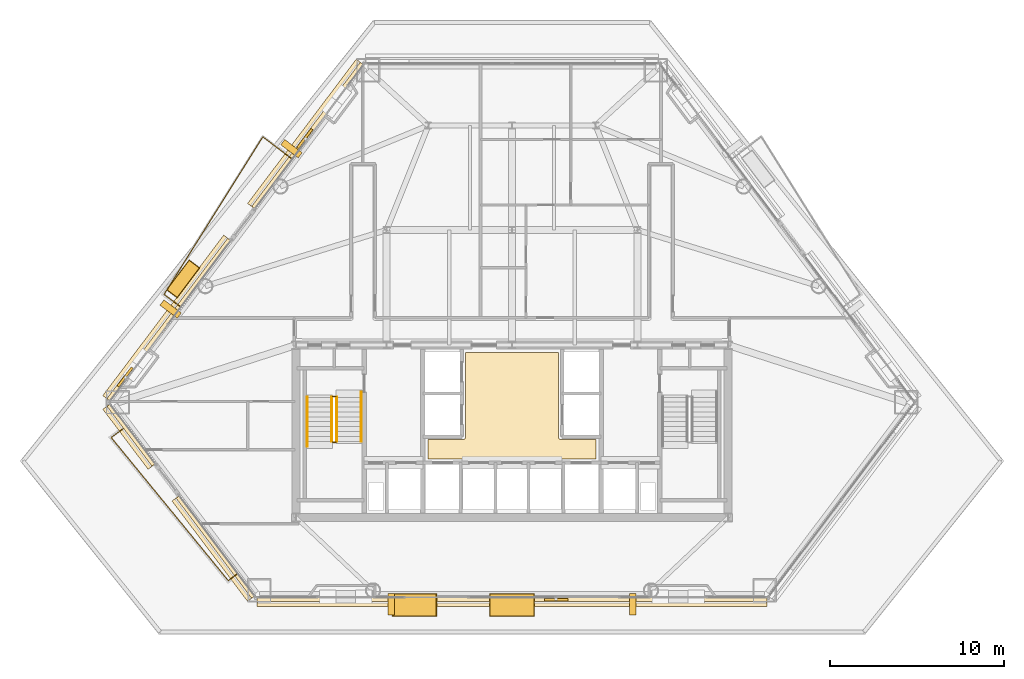
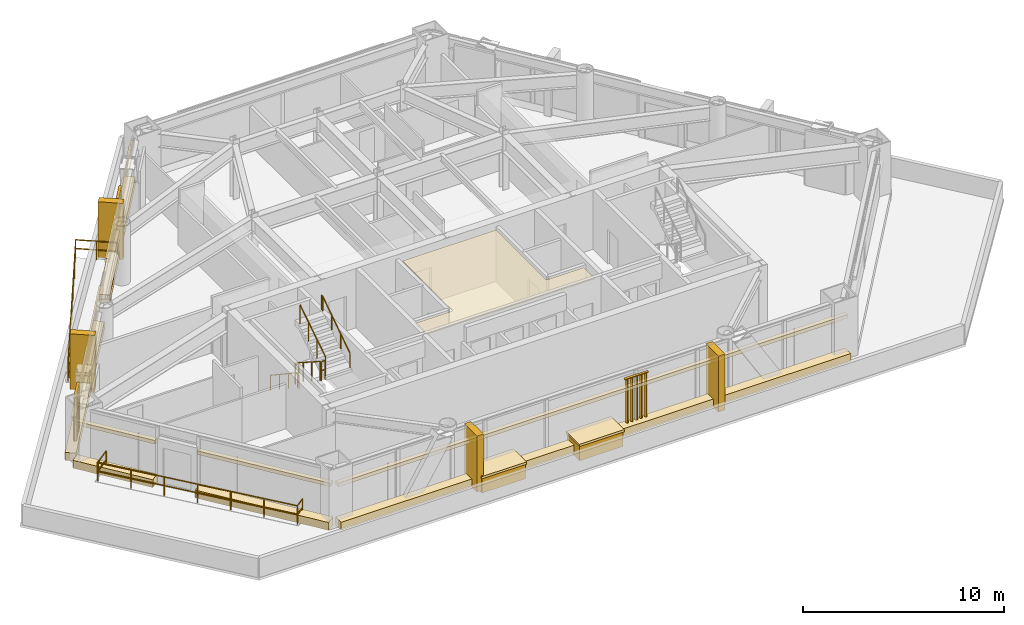
# One storey, part 12 of 13: 21 coverings, 8 railings, 3 shading devices.
"""IFC4 building model written with IfcOpenShell, lengths in metres."""

from ifc_helpers import new_model, si_unit, direction, frame, origin, origin_2d, place, context, subcontext, project, spatial, polyline, rectangle, outline, extrude, source, transform, mapped, material, layer, layer_set, type_object, type_shapes, element, save


model = new_model("IFC4")

# Units and contexts
model_context = context("Model", 3, precision=1e-05, world=origin(), true_north=direction((0.0, 1.0)))
body_context = subcontext(model_context, "Body", "Model", "MODEL_VIEW")
ifc_project = project(units=[si_unit("LENGTHUNIT", "METRE"), si_unit("AREAUNIT", "SQUARE_METRE"), si_unit("VOLUMEUNIT", "CUBIC_METRE"), si_unit("PLANEANGLEUNIT", "RADIAN"), si_unit("MASSUNIT", "GRAM", prefix="KILO")], contexts=[model_context])

# Site, building, storey
site_placement = place(None, origin())
site = spatial("IfcSite", under=ifc_project, at=site_placement, CompositionType="ELEMENT")
building_placement = place(site_placement, origin())
building = spatial("IfcBuilding", under=site, at=building_placement, Name="Talgorran Terracotta Tower", CompositionType="ELEMENT")
storey_placement = place(building_placement, frame((0.0, 0.0, 24.300048828125)))
storey = spatial("IfcBuildingStorey", under=building, at=storey_placement, Name="L05", CompositionType="ELEMENT", Elevation=24.300048828125)

# Coverings
ifc_material_1 = material(Name="Kiln-Fired Terracotta Ochre Ceramic", Category="masonry")
ifc_layer_1 = layer(ifc_material_1, 0.179931640625, Name="COV_BAGUETTE_TERRACOTTA_SCREEN")
ifc_layer_set_1 = layer_set([ifc_layer_1], Name="Kiln-Fired Terracotta Ochre Ceramic")
covering_type_1 = type_object("IfcCoveringType", Name="COV_BAGUETTE_TERRACOTTA_SCREEN", PredefinedType="CLADDING", material=ifc_layer_set_1)
covering_1_placement = place(storey_placement, frame((-21.84814453125, -9.35400390625, 2.41015625), z_axis=(0.0, 0.0, 1.0), x_axis=(0.601801084241, -0.798646013579, 0.0)))
element("IfcCovering", 1, at=covering_1_placement, inside=storey, type_object=covering_type_1, Name="L05 Terracotta Baguette Solar Screen Assembly F10", PredefinedType="CLADDING", context=body_context, shape_type="SweptSolid", body=[
    extrude(rectangle(XDim=4.29638671875, YDim=0.260009765625, at=origin_2d()), origin(), (0.0, 0.0, 1.0), 0.219970703125),
])
covering_2_placement = place(storey_placement, frame((-17.00634765625, -15.779541015625, 2.41015625), z_axis=(0.0, 0.0, 1.0), x_axis=(0.601815023152, -0.798635510047, 0.0)))
element("IfcCovering", 2, at=covering_2_placement, inside=storey, type_object=covering_type_1, Name="L05 Terracotta Baguette Solar Screen Assembly F11", PredefinedType="CLADDING", context=body_context, shape_type="SweptSolid", body=[
    extrude(rectangle(XDim=7.1943359375, YDim=0.260009765625, at=origin_2d()), origin(), (0.0, 0.0, 1.0), 0.219970703125),
])
covering_3_placement = place(storey_placement, frame((0.0, -18.780029296875, 2.41015625), z_axis=(0.0, 0.0, 1.0), x_axis=(1.0, 0.0, 0.0)))
element("IfcCovering", 3, at=covering_3_placement, inside=storey, type_object=covering_type_1, Name="L05 Terracotta Baguette Solar Screen Assembly F1", PredefinedType="CLADDING", context=body_context, shape_type="SweptSolid", body=[
    extrude(rectangle(XDim=29.250732421875, YDim=0.260009765625, at=origin_2d()), origin(), (0.0, 0.0, 1.0), 0.219970703125),
])
covering_4_placement = place(storey_placement, frame((-11.719970703125, 7.813720703125, 2.41015625), z_axis=(0.0, 0.0, 1.0), x_axis=(-0.601801084241, -0.798646013579, 0.0)))
element("IfcCovering", 4, at=covering_4_placement, inside=storey, type_object=covering_type_1, Name="L05 Terracotta Baguette Solar Screen Assembly F60", PredefinedType="CLADDING", context=body_context, shape_type="SweptSolid", body=[
    extrude(rectangle(XDim=10.33984375, YDim=0.260009765625, at=origin_2d()), origin(), (0.0, 0.0, 1.0), 0.219970703125),
])
covering_5_placement = place(storey_placement, frame((-19.67822265625, -2.747314453125, 2.41015625), z_axis=(0.0, 0.0, 1.0), x_axis=(-0.601815023152, -0.798635510047, 0.0)))
element("IfcCovering", 5, at=covering_5_placement, inside=storey, type_object=covering_type_1, Name="L05 Terracotta Baguette Solar Screen Assembly F61", PredefinedType="CLADDING", context=body_context, shape_type="SweptSolid", body=[
    extrude(rectangle(XDim=11.5078125, YDim=0.260009765625, at=origin_2d()), origin(), (0.0, 0.0, 1.0), 0.219970703125),
])
ifc_material_2 = material(Name="Flush Moisture-Resistant Plaster")
ifc_layer_2 = layer(ifc_material_2, 0.01806640625, Name="COV_CEIL_PLASTER")
ifc_layer_set_2 = layer_set([ifc_layer_2], Name="Flush Moisture-Resistant Plaster")
covering_type_2 = type_object("IfcCoveringType", Name="COV_CEIL_PLASTER", PredefinedType="CEILING", material=ifc_layer_set_2)
covering_6_placement = place(storey_placement, frame((0.0, 0.0, 3.260009765625)))
element("IfcCovering", 6, at=covering_6_placement, inside=storey, type_object=covering_type_2, Name="CEIL-L05-1", PredefinedType="CEILING", context=body_context, shape_type="SweptSolid", body=[
    extrude(outline(polyline([(-4.830078125, -9.6201171875), (-2.800048828125, -9.6201171875), (-2.7880859375, -9.619384765625), (-2.776611328125, -9.61767578125), (-2.76513671875, -9.61474609375), (-2.754150390625, -9.61083984375), (-2.743408203125, -9.605712890625), (-2.7333984375, -9.599853515625), (-2.723876953125, -9.5927734375), (-2.715087890625, -9.5849609375), (-2.707275390625, -9.576171875), (-2.7001953125, -9.566650390625), (-2.694091796875, -9.556640625), (-2.689208984375, -9.5458984375), (-2.685302734375, -9.534912109375), (-2.682373046875, -9.5234375), (-2.6806640625, -9.51171875), (-2.679931640625, -9.5), (-2.679931640625, -4.6201171875), (2.679931640625, -4.6201171875), (2.679931640625, -9.5), (2.6806640625, -9.51171875), (2.682373046875, -9.5234375), (2.685302734375, -9.534912109375), (2.689208984375, -9.5458984375), (2.694091796875, -9.556640625), (2.7001953125, -9.566650390625), (2.707275390625, -9.576171875), (2.715087890625, -9.5849609375), (2.723876953125, -9.5927734375), (2.7333984375, -9.599853515625), (2.743408203125, -9.605712890625), (2.754150390625, -9.61083984375), (2.76513671875, -9.61474609375), (2.776611328125, -9.61767578125), (2.7880859375, -9.619384765625), (2.800048828125, -9.6201171875), (4.830078125, -9.6201171875), (4.830078125, -10.72998046875), (-4.830078125, -10.72998046875), (-4.830078125, -9.6201171875)])), origin(), (0.0, 0.0, 1.0), 0.02001953125),
])
ifc_material_3 = material(Name="Honed Limestone and Terracotta Planter", Category="masonry")
ifc_layer_3 = layer(ifc_material_3, 0.1201171875, Name="COV_PLANTER_BOX")
ifc_layer_set_3 = layer_set([ifc_layer_3], Name="Honed Limestone and Terracotta Planter")
covering_type_3 = type_object("IfcCoveringType", Name="COV_PLANTER_BOX", PredefinedType="CLADDING", material=ifc_layer_set_3)
for number, where, z_axis, x_axis, name in (
    (7, (-5.60693359375, -19.1201171875, -0.179931640625), (0.0, 0.0, 1.0), (1.0, 0.0, 0.0), "L05 Staggered South Facade Planter Box 1"),
    (8, (0.0, -19.1201171875, -0.179931640625), (0.0, 0.0, 1.0), (1.0, 0.0, 0.0), "L05 Staggered South Facade Planter Box 2"),
):
    element("IfcCovering", number, at=place(storey_placement, frame(where, z_axis=z_axis, x_axis=x_axis)), inside=storey, type_object=covering_type_3, Name=name, PredefinedType="CLADDING", context=body_context, shape_type="SweptSolid", body=[
        extrude(rectangle(XDim=2.5, YDim=1.25, at=origin_2d()), origin(), (0.0, 0.0, 1.0), 0.919921875),
    ])
covering_7_placement = place(storey_placement, frame((-18.87255859375, -0.3984375, -0.02001953125), z_axis=(0.0, 0.0, 1.0), x_axis=(-0.601815023152, -0.798635510047, 0.0)))
element("IfcCovering", 9, at=covering_7_placement, inside=storey, type_object=covering_type_3, Name="L05 Staggered Balcony Planter Box BAL-NW", PredefinedType="CLADDING", context=body_context, shape_type="SweptSolid", body=[
    extrude(rectangle(XDim=2.10009765625, YDim=0.719970703125, at=origin_2d()), origin(), (0.0, 0.0, 1.0), 0.860107421875),
])
ifc_material_4 = material(Name="Kiln-Fired Terracotta Planter Rim", Category="masonry")
ifc_layer_4 = layer(ifc_material_4, 0.10009765625, Name="COV_PLANTER_RIM")
ifc_layer_set_4 = layer_set([ifc_layer_4], Name="Kiln-Fired Terracotta Planter Rim")
covering_type_4 = type_object("IfcCoveringType", Name="COV_PLANTER_RIM", PredefinedType="CLADDING", material=ifc_layer_set_4)
for number, where, z_axis, x_axis, name in (
    (10, (-5.60693359375, -19.1201171875, 0.7099609375), (0.0, 0.0, 1.0), (1.0, 0.0, 0.0), "L05 South Planter Terracotta Rim 1"),
    (11, (0.0, -19.1201171875, 0.7099609375), (0.0, 0.0, 1.0), (1.0, 0.0, 0.0), "L05 South Planter Terracotta Rim 2"),
):
    element("IfcCovering", number, at=place(storey_placement, frame(where, z_axis=z_axis, x_axis=x_axis)), inside=storey, type_object=covering_type_4, Name=name, PredefinedType="CLADDING", context=body_context, shape_type="SweptSolid", body=[
        extrude(rectangle(XDim=2.580078125, YDim=1.320068359375, at=origin_2d()), origin(), (0.0, 0.0, 1.0), 0.139892578125),
    ])
covering_8_placement = place(storey_placement, frame((-18.87255859375, -0.3984375, 0.7998046875), z_axis=(0.0, 0.0, 1.0), x_axis=(-0.601815023152, -0.798635510047, 0.0)))
element("IfcCovering", 12, at=covering_8_placement, inside=storey, type_object=covering_type_4, Name="L05 Balcony Planter Terracotta Rim BAL-NW", PredefinedType="CLADDING", context=body_context, shape_type="SweptSolid", body=[
    extrude(rectangle(XDim=2.179931640625, YDim=0.780029296875, at=origin_2d()), origin(), (0.0, 0.0, 1.0), 0.1201171875),
])
ifc_material_5 = material(Name="Honed Limestone Cladding", Category="masonry")
ifc_layer_5 = layer(ifc_material_5, 0.094970703125, Name="COV_PORTAL_LIME")
ifc_layer_set_5 = layer_set([ifc_layer_5], Name="Honed Limestone Cladding")
covering_type_5 = type_object("IfcCoveringType", Name="COV_PORTAL_LIME", PredefinedType="CLADDING", material=ifc_layer_set_5)
for number, where, z_axis, x_axis, name in (
    (13, (-6.934814453125, -19.080078125, -0.050048828125), (0.0, 0.0, 1.0), (1.0, 0.0, 0.0), "L05 White Striped Portal Fin F1-1"),
    (14, (-12.656005859375, 7.070068359375, -0.050048828125), (0.0, 0.0, 1.0), (-0.601815023152, -0.798635510047, 0.0), "L05 White Striped Portal Fin F5-1"),
):
    element("IfcCovering", number, at=place(storey_placement, frame(where, z_axis=z_axis, x_axis=x_axis)), inside=storey, type_object=covering_type_5, Name=name, PredefinedType="CLADDING", context=body_context, shape_type="SweptSolid", body=[
        extrude(rectangle(XDim=0.3798828125, YDim=1.25, at=origin_2d()), origin(), (0.0, 0.0, 1.0), 3.39990234375),
    ])
ifc_material_6 = material(Name="Kiln-Fired Terracotta Cladding", Category="masonry")
ifc_layer_6 = layer(ifc_material_6, 0.090087890625, Name="COV_PORTAL_TERRA")
ifc_layer_set_6 = layer_set([ifc_layer_6], Name="Kiln-Fired Terracotta Cladding")
covering_type_6 = type_object("IfcCoveringType", Name="COV_PORTAL_TERRA", PredefinedType="CLADDING", material=ifc_layer_set_6)
covering_9_placement = place(storey_placement, frame((-21.9599609375, -9.438232421875, -0.0400390625), z_axis=(0.0, 0.0, 1.0), x_axis=(0.601801084241, -0.798646013579, 0.0)))
element("IfcCovering", 15, at=covering_9_placement, inside=storey, type_object=covering_type_6, Name="L05 Striped Postmodern Portal Cladding Band F10", PredefinedType="CLADDING", context=body_context, shape_type="SweptSolid", body=[
    extrude(rectangle(XDim=4.31640625, YDim=0.56005859375, at=origin_2d()), origin(), (0.0, 0.0, 1.0), 0.47998046875),
])
covering_10_placement = place(storey_placement, frame((-17.1181640625, -15.86376953125, -0.0400390625), z_axis=(0.0, 0.0, 1.0), x_axis=(0.601815023152, -0.798635510047, 0.0)))
element("IfcCovering", 16, at=covering_10_placement, inside=storey, type_object=covering_type_6, Name="L05 Striped Postmodern Portal Cladding Band F11", PredefinedType="CLADDING", context=body_context, shape_type="SweptSolid", body=[
    extrude(rectangle(XDim=7.21435546875, YDim=0.56005859375, at=origin_2d()), origin(), (0.0, 0.0, 1.0), 0.47998046875),
])
covering_11_placement = place(storey_placement, frame((0.0, -18.919921875, -0.0400390625), z_axis=(0.0, 0.0, 1.0), x_axis=(1.0, 0.0, 0.0)))
element("IfcCovering", 17, at=covering_11_placement, inside=storey, type_object=covering_type_6, Name="L05 Striped Postmodern Portal Cladding Band F1", PredefinedType="CLADDING", context=body_context, shape_type="SweptSolid", body=[
    extrude(rectangle(XDim=29.270751953125, YDim=0.56005859375, at=origin_2d()), origin(), (0.0, 0.0, 1.0), 0.47998046875),
])
covering_12_placement = place(storey_placement, frame((-11.831787109375, 7.898193359375, -0.0400390625), z_axis=(0.0, 0.0, 1.0), x_axis=(-0.601801084241, -0.798646013579, 0.0)))
element("IfcCovering", 18, at=covering_12_placement, inside=storey, type_object=covering_type_6, Name="L05 Striped Postmodern Portal Cladding Band F60", PredefinedType="CLADDING", context=body_context, shape_type="SweptSolid", body=[
    extrude(rectangle(XDim=10.35986328125, YDim=0.56005859375, at=origin_2d()), origin(), (0.0, 0.0, 1.0), 0.47998046875),
])
covering_13_placement = place(storey_placement, frame((-19.7900390625, -2.662841796875, -0.0400390625), z_axis=(0.0, 0.0, 1.0), x_axis=(-0.601815023152, -0.798635510047, 0.0)))
element("IfcCovering", 19, at=covering_13_placement, inside=storey, type_object=covering_type_6, Name="L05 Striped Postmodern Portal Cladding Band F61", PredefinedType="CLADDING", context=body_context, shape_type="SweptSolid", body=[
    extrude(rectangle(XDim=11.527587890625, YDim=0.56005859375, at=origin_2d()), origin(), (0.0, 0.0, 1.0), 0.47998046875),
])
for number, where, z_axis, x_axis, name in (
    (20, (6.934814453125, -19.080078125, -0.050048828125), (0.0, 0.0, 1.0), (1.0, 0.0, 0.0), "L05 Terracotta Striped Portal Fin F1-2"),
    (21, (-19.591064453125, -2.133056640625, -0.050048828125), (0.0, 0.0, 1.0), (-0.601815023152, -0.798635510047, 0.0), "L05 Terracotta Striped Portal Fin F5-2"),
):
    element("IfcCovering", number, at=place(storey_placement, frame(where, z_axis=z_axis, x_axis=x_axis)), inside=storey, type_object=covering_type_6, Name=name, PredefinedType="CLADDING", context=body_context, shape_type="SweptSolid", body=[
        extrude(rectangle(XDim=0.3798828125, YDim=1.25, at=origin_2d()), origin(), (0.0, 0.0, 1.0), 3.39990234375),
    ])

# Railings
ifc_material_7 = material(Name="Laminated Glass and Stainless Steel 316", Category="steel")
railing_type_1 = type_object("IfcRailingType", Name="RL_BALCONY_1150", PredefinedType="BALUSTRADE", material=ifc_material_7)
railing_1_placement = place(storey_placement, frame((-12.6220703125, 6.483642578125, 0.0)))
element("IfcRailing", 22, at=railing_1_placement, inside=storey, type_object=railing_type_1, Name="RL-L05-BAL-BAL-NW", PredefinedType="BALUSTRADE", context=body_context, shape_type="SweptSolid", body=[
    extrude(rectangle(XDim=0.048095703125, YDim=0.048095703125, at=origin_2d()), frame((0.0, 0.0, 1.1259765625), z_axis=(-0.798674476076, 0.601763310002, 0.0), x_axis=(-0.601763310002, -0.798674476076, 0.0)), (0.0, 0.0, 1.0), 2.102783203125),
    extrude(rectangle(XDim=0.048095703125, YDim=0.048095703125, at=origin_2d()), frame((0.0, 0.0, 0.597900390625), z_axis=(-0.798674476076, 0.601763310002, 0.0), x_axis=(-0.601763310002, -0.798674476076, 0.0)), (0.0, 0.0, 1.0), 2.102783203125),
    extrude(rectangle(XDim=0.048095703125, YDim=0.048095703125, at=origin_2d()), frame((-1.679443359375, 1.265380859375, 1.1259765625), z_axis=(-0.531055976515, -0.847336739324, 0.0), x_axis=(0.847336739324, -0.531055976515, 0.0)), (0.0, 0.0, 1.0), 10.6669921875),
    extrude(rectangle(XDim=0.048095703125, YDim=0.048095703125, at=origin_2d()), frame((-1.679443359375, 1.265380859375, 0.597900390625), z_axis=(-0.531055976515, -0.847336739324, 0.0), x_axis=(0.847336739324, -0.531055976515, 0.0)), (0.0, 0.0, 1.0), 10.6669921875),
    extrude(rectangle(XDim=0.048095703125, YDim=0.048095703125, at=origin_2d()), frame((-7.34423828125, -7.773193359375, 1.1259765625), z_axis=(0.798616132911, -0.601840736619, 0.0), x_axis=(0.601840736619, 0.798616132911, 0.0)), (0.0, 0.0, 1.0), 1.187255859375),
    extrude(rectangle(XDim=0.048095703125, YDim=0.048095703125, at=origin_2d()), frame((-7.34423828125, -7.773193359375, 0.597900390625), z_axis=(0.798616132911, -0.601840736619, 0.0), x_axis=(0.601840736619, 0.798616132911, 0.0)), (0.0, 0.0, 1.0), 1.187255859375),
    extrude(rectangle(XDim=0.0419921875, YDim=0.0419921875, at=origin_2d()), origin(), (0.0, 0.0, 1.0), 1.101806640625),
    extrude(rectangle(XDim=0.0419921875, YDim=0.0419921875, at=origin_2d()), frame((-0.83984375, 0.6328125, 0.0)), (0.0, 0.0, 1.0), 1.101806640625),
    extrude(rectangle(XDim=0.0419921875, YDim=0.0419921875, at=origin_2d()), frame((-1.679443359375, 1.265380859375, 0.0)), (0.0, 0.0, 1.0), 1.101806640625),
    extrude(rectangle(XDim=0.0419921875, YDim=0.0419921875, at=origin_2d()), frame((-2.62353515625, -0.240966796875, 0.0)), (0.0, 0.0, 1.0), 1.101806640625),
    extrude(rectangle(XDim=0.0419921875, YDim=0.0419921875, at=origin_2d()), frame((-3.567626953125, -1.74755859375, 0.0)), (0.0, 0.0, 1.0), 1.101806640625),
    extrude(rectangle(XDim=0.0419921875, YDim=0.0419921875, at=origin_2d()), frame((-4.51171875, -3.25390625, 0.0)), (0.0, 0.0, 1.0), 1.101806640625),
    extrude(rectangle(XDim=0.0419921875, YDim=0.0419921875, at=origin_2d()), frame((-5.4560546875, -4.76025390625, 0.0)), (0.0, 0.0, 1.0), 1.101806640625),
    extrude(rectangle(XDim=0.0419921875, YDim=0.0419921875, at=origin_2d()), frame((-6.400146484375, -6.266845703125, 0.0)), (0.0, 0.0, 1.0), 1.101806640625),
    extrude(rectangle(XDim=0.0419921875, YDim=0.0419921875, at=origin_2d()), frame((-7.34423828125, -7.773193359375, 0.0)), (0.0, 0.0, 1.0), 1.101806640625),
    extrude(rectangle(XDim=0.0419921875, YDim=0.0419921875, at=origin_2d()), frame((-6.39599609375, -8.48779296875, 0.0)), (0.0, 0.0, 1.0), 1.101806640625),
])
railing_2_placement = place(storey_placement, frame((-22.126953125, -8.851318359375, 0.0)))
element("IfcRailing", 23, at=railing_2_placement, inside=storey, type_object=railing_type_1, Name="RL-L05-BAL-BAL-SW", PredefinedType="BALUSTRADE", context=body_context, shape_type="SweptSolid", body=[
    extrude(rectangle(XDim=0.048095703125, YDim=0.048095703125, at=origin_2d()), frame((0.0, 0.0, 1.1259765625), z_axis=(-0.798711645571, -0.6017139746, 0.0), x_axis=(0.6017139746, -0.798711645571, 0.0)), (0.0, 0.0, 1.0), 1.093017578125),
    extrude(rectangle(XDim=0.048095703125, YDim=0.048095703125, at=origin_2d()), frame((0.0, 0.0, 0.597900390625), z_axis=(-0.798711645571, -0.6017139746, 0.0), x_axis=(0.6017139746, -0.798711645571, 0.0)), (0.0, 0.0, 1.0), 1.093017578125),
    extrude(rectangle(XDim=0.048095703125, YDim=0.048095703125, at=origin_2d()), frame((-0.873046875, -0.65771484375, 1.1259765625), z_axis=(0.633137551536, -0.774039301867, 0.0), x_axis=(0.774039301867, 0.633137551536, 0.0)), (0.0, 0.0, 1.0), 10.611083984375),
    extrude(rectangle(XDim=0.048095703125, YDim=0.048095703125, at=origin_2d()), frame((-0.873046875, -0.65771484375, 0.597900390625), z_axis=(0.633137551536, -0.774039301867, 0.0), x_axis=(0.774039301867, 0.633137551536, 0.0)), (0.0, 0.0, 1.0), 10.611083984375),
    extrude(rectangle(XDim=0.048095703125, YDim=0.048095703125, at=origin_2d()), frame((5.84521484375, -8.87109375, 1.1259765625), z_axis=(0.798687574271, 0.601745925374, 0.0), x_axis=(-0.601745925374, 0.798687574271, 0.0)), (0.0, 0.0, 1.0), 0.670654296875),
    extrude(rectangle(XDim=0.048095703125, YDim=0.048095703125, at=origin_2d()), frame((5.84521484375, -8.87109375, 0.597900390625), z_axis=(0.798687574271, 0.601745925374, 0.0), x_axis=(-0.601745925374, 0.798687574271, 0.0)), (0.0, 0.0, 1.0), 0.670654296875),
    extrude(rectangle(XDim=0.0419921875, YDim=0.0419921875, at=origin_2d()), origin(), (0.0, 0.0, 1.0), 1.101806640625),
    extrude(rectangle(XDim=0.0419921875, YDim=0.0419921875, at=origin_2d()), frame((-0.873046875, -0.65771484375, 0.0)), (0.0, 0.0, 1.0), 1.101806640625),
    extrude(rectangle(XDim=0.0419921875, YDim=0.0419921875, at=origin_2d()), frame((0.24658203125, -2.026611328125, 0.0)), (0.0, 0.0, 1.0), 1.101806640625),
    extrude(rectangle(XDim=0.0419921875, YDim=0.0419921875, at=origin_2d()), frame((1.366455078125, -3.3955078125, 0.0)), (0.0, 0.0, 1.0), 1.101806640625),
    extrude(rectangle(XDim=0.0419921875, YDim=0.0419921875, at=origin_2d()), frame((2.486083984375, -4.764404296875, 0.0)), (0.0, 0.0, 1.0), 1.101806640625),
    extrude(rectangle(XDim=0.0419921875, YDim=0.0419921875, at=origin_2d()), frame((3.605712890625, -6.13330078125, 0.0)), (0.0, 0.0, 1.0), 1.101806640625),
    extrude(rectangle(XDim=0.0419921875, YDim=0.0419921875, at=origin_2d()), frame((4.7255859375, -7.502197265625, 0.0)), (0.0, 0.0, 1.0), 1.101806640625),
    extrude(rectangle(XDim=0.0419921875, YDim=0.0419921875, at=origin_2d()), frame((5.84521484375, -8.87109375, 0.0)), (0.0, 0.0, 1.0), 1.101806640625),
    extrude(rectangle(XDim=0.0419921875, YDim=0.0419921875, at=origin_2d()), frame((6.380859375, -8.467529296875, 0.0)), (0.0, 0.0, 1.0), 1.101806640625),
])
ifc_material_8 = material(Name="Steel S355 (300PLUS)", Category="steel")
railing_type_2 = type_object("IfcRailingType", Name="RL_HANDRAIL_920", PredefinedType="HANDRAIL", material=ifc_material_8)
railing_3_placement = place(storey_placement, frame((-11.75, -7.199951171875, 0.179931640625)))
element("IfcRailing", 24, at=railing_3_placement, inside=storey, type_object=railing_type_2, Name="L05 ST-01 stair handrail 1", PredefinedType="HANDRAIL", context=body_context, shape_type="SweptSolid", body=[
    extrude(rectangle(XDim=0.048095703125, YDim=0.048095703125, at=origin_2d()), frame((0.0, 0.0, 0.89599609375), z_axis=(0.0, -0.832038719335, 0.554717558338), x_axis=(1.0, 0.0, 0.0)), (0.0, 0.0, 1.0), 3.244873046875),
    extrude(rectangle(XDim=0.048095703125, YDim=0.048095703125, at=origin_2d()), frame((0.0, -2.699951171875, 2.69580078125), z_axis=(0.0, -1.0, 0.0), x_axis=(1.0, 0.0, 0.0)), (0.0, 0.0, 1.0), 0.1201171875),
    extrude(rectangle(XDim=0.0419921875, YDim=0.0419921875, at=origin_2d()), origin(), (0.0, 0.0, 1.0), 0.871826171875),
    extrude(rectangle(XDim=0.0419921875, YDim=0.0419921875, at=origin_2d()), frame((0.0, -0.89990234375, 0.60009765625)), (0.0, 0.0, 1.0), 0.871826171875),
    extrude(rectangle(XDim=0.0419921875, YDim=0.0419921875, at=origin_2d()), frame((0.0, -1.800048828125, 1.199951171875)), (0.0, 0.0, 1.0), 0.871826171875),
    extrude(rectangle(XDim=0.0419921875, YDim=0.0419921875, at=origin_2d()), frame((0.0, -2.699951171875, 1.800048828125)), (0.0, 0.0, 1.0), 0.871826171875),
    extrude(rectangle(XDim=0.0419921875, YDim=0.0419921875, at=origin_2d()), frame((0.0, -2.820068359375, 1.800048828125)), (0.0, 0.0, 1.0), 0.871826171875),
])
railing_4_placement = place(storey_placement, frame((-8.64990234375, -9.719970703125, 1.97998046875)))
element("IfcRailing", 25, at=railing_4_placement, inside=storey, type_object=railing_type_2, Name="L05 ST-01 stair handrail 2", PredefinedType="HANDRAIL", context=body_context, shape_type="SweptSolid", body=[
    extrude(rectangle(XDim=0.048095703125, YDim=0.048095703125, at=origin_2d()), frame((0.0, 0.0, 0.89599609375), z_axis=(0.0, 0.832038719335, 0.554717558338), x_axis=(-1.0, 0.0, 0.0)), (0.0, 0.0, 1.0), 3.244873046875),
    extrude(rectangle(XDim=0.048095703125, YDim=0.048095703125, at=origin_2d()), frame((0.0, 2.699951171875, 2.69580078125), z_axis=(0.0, 1.0, 0.0), x_axis=(-1.0, 0.0, 0.0)), (0.0, 0.0, 1.0), 0.1201171875),
    extrude(rectangle(XDim=0.0419921875, YDim=0.0419921875, at=origin_2d()), origin(), (0.0, 0.0, 1.0), 0.871826171875),
    extrude(rectangle(XDim=0.0419921875, YDim=0.0419921875, at=origin_2d()), frame((0.0, 0.89990234375, 0.60009765625)), (0.0, 0.0, 1.0), 0.871826171875),
    extrude(rectangle(XDim=0.0419921875, YDim=0.0419921875, at=origin_2d()), frame((0.0, 1.800048828125, 1.199951171875)), (0.0, 0.0, 1.0), 0.871826171875),
    extrude(rectangle(XDim=0.0419921875, YDim=0.0419921875, at=origin_2d()), frame((0.0, 2.699951171875, 1.800048828125)), (0.0, 0.0, 1.0), 0.871826171875),
    extrude(rectangle(XDim=0.0419921875, YDim=0.0419921875, at=origin_2d()), frame((0.0, 2.820068359375, 1.800048828125)), (0.0, 0.0, 1.0), 0.871826171875),
])
railing_type_3 = type_object("IfcRailingType", Name="RL_STAIR_GUARD", PredefinedType="GUARDRAIL", material=ifc_material_8)
railing_5_placement = place(storey_placement, frame((-10.35009765625, -7.199951171875, 0.179931640625)))
element("IfcRailing", 26, at=railing_5_placement, inside=storey, type_object=railing_type_3, Name="L05 ST-01 stair guard 1", PredefinedType="GUARDRAIL", context=body_context, shape_type="SweptSolid", body=[
    extrude(rectangle(XDim=0.048095703125, YDim=0.048095703125, at=origin_2d()), frame((0.0, 0.0, 1.15576171875), z_axis=(0.0, -0.841162588446, 0.540782303519), x_axis=(1.0, 0.0, 0.0)), (0.0, 0.0, 1.0), 2.995849609375),
    extrude(rectangle(XDim=0.0419921875, YDim=0.0419921875, at=origin_2d()), origin(), (0.0, 0.0, 1.0), 1.1318359375),
    extrude(rectangle(XDim=0.0419921875, YDim=0.0419921875, at=origin_2d()), frame((0.0, -0.840087890625, 0.5400390625)), (0.0, 0.0, 1.0), 1.1318359375),
    extrude(rectangle(XDim=0.0419921875, YDim=0.0419921875, at=origin_2d()), frame((0.0, -1.679931640625, 1.080078125)), (0.0, 0.0, 1.0), 1.1318359375),
    extrude(rectangle(XDim=0.0419921875, YDim=0.0419921875, at=origin_2d()), frame((0.0, -2.52001953125, 1.6201171875)), (0.0, 0.0, 1.0), 1.1318359375),
])
railing_6_placement = place(storey_placement, frame((-10.300048828125, -9.77001953125, 1.800048828125)))
element("IfcRailing", 27, at=railing_6_placement, inside=storey, type_object=railing_type_3, Name="L05 ST-01 stair guard 2", PredefinedType="GUARDRAIL", context=body_context, shape_type="SweptSolid", body=[
    extrude(rectangle(XDim=0.048095703125, YDim=0.048095703125, at=origin_2d()), frame((0.0, 0.0, 1.15576171875), z_axis=(1.0, 0.0, 0.0), x_axis=(0.0, 1.0, 0.0)), (0.0, 0.0, 1.0), 0.199951171875),
    extrude(rectangle(XDim=0.048095703125, YDim=0.048095703125, at=origin_2d()), frame((0.0, 0.0, 0.613525390625), z_axis=(1.0, 0.0, 0.0), x_axis=(0.0, 1.0, 0.0)), (0.0, 0.0, 1.0), 0.199951171875),
    extrude(rectangle(XDim=0.0419921875, YDim=0.0419921875, at=origin_2d()), origin(), (0.0, 0.0, 1.0), 1.1318359375),
    extrude(rectangle(XDim=0.0419921875, YDim=0.0419921875, at=origin_2d()), frame((0.199951171875, 0.0, 0.0)), (0.0, 0.0, 1.0), 1.1318359375),
])
railing_7_placement = place(storey_placement, frame((-10.050048828125, -9.719970703125, 1.97998046875)))
element("IfcRailing", 28, at=railing_7_placement, inside=storey, type_object=railing_type_3, Name="L05 ST-01 stair guard 3", PredefinedType="GUARDRAIL", context=body_context, shape_type="SweptSolid", body=[
    extrude(rectangle(XDim=0.048095703125, YDim=0.048095703125, at=origin_2d()), frame((0.0, 0.0, 1.15576171875), z_axis=(0.0, 0.841199657755, 0.540724639528), x_axis=(-1.0, 0.0, 0.0)), (0.0, 0.0, 1.0), 2.995849609375),
    extrude(rectangle(XDim=0.0419921875, YDim=0.0419921875, at=origin_2d()), origin(), (0.0, 0.0, 1.0), 1.1318359375),
    extrude(rectangle(XDim=0.0419921875, YDim=0.0419921875, at=origin_2d()), frame((0.0, 0.840087890625, 0.5400390625)), (0.0, 0.0, 1.0), 1.1318359375),
    extrude(rectangle(XDim=0.0419921875, YDim=0.0419921875, at=origin_2d()), frame((0.0, 1.679931640625, 1.079833984375)), (0.0, 0.0, 1.0), 1.1318359375),
    extrude(rectangle(XDim=0.0419921875, YDim=0.0419921875, at=origin_2d()), frame((0.0, 2.52001953125, 1.619873046875)), (0.0, 0.0, 1.0), 1.1318359375),
])
railing_8_placement = place(storey_placement, frame((-10.300048828125, -7.14990234375, 0.0)))
element("IfcRailing", 29, at=railing_8_placement, inside=storey, type_object=railing_type_3, Name="L05 ST-01 stair guard 4", PredefinedType="GUARDRAIL", context=body_context, shape_type="SweptSolid", body=[
    extrude(rectangle(XDim=0.048095703125, YDim=0.048095703125, at=origin_2d()), frame((0.0, 0.0, 1.15576171875), z_axis=(1.0, 0.0, 0.0), x_axis=(0.0, 1.0, 0.0)), (0.0, 0.0, 1.0), 0.199951171875),
    extrude(rectangle(XDim=0.048095703125, YDim=0.048095703125, at=origin_2d()), frame((0.0, 0.0, 0.613525390625), z_axis=(1.0, 0.0, 0.0), x_axis=(0.0, 1.0, 0.0)), (0.0, 0.0, 1.0), 0.199951171875),
    extrude(rectangle(XDim=0.0419921875, YDim=0.0419921875, at=origin_2d()), origin(), (0.0, 0.0, 1.0), 1.1318359375),
    extrude(rectangle(XDim=0.0419921875, YDim=0.0419921875, at=origin_2d()), frame((0.199951171875, 0.0, 0.0)), (0.0, 0.0, 1.0), 1.1318359375),
])

# Shading devices
ifc_material_9 = material(Name="Kiln-Fired Terracotta", Category="masonry")
ifc_layer_7 = layer(ifc_material_9, 0.139892578125, Name="SHD_BAGUETTE_TERRA")
ifc_layer_set_7 = layer_set([ifc_layer_7], Name="Kiln-Fired Terracotta")
shading_device_type = type_object("IfcShadingDeviceType", Name="SHD_BAGUETTE_TERRA", PredefinedType="JALOUSIE", material=ifc_layer_set_7)
shared_shape = source(origin(), body_context, "Body", "SweptSolid", [
    extrude(rectangle(XDim=1.35009765625, YDim=0.139892578125, at=origin_2d()), origin(), (0.0, 0.0, 1.0), 0.054931640625),
    extrude(rectangle(XDim=1.35009765625, YDim=0.139892578125, at=origin_2d()), frame((0.0, 0.0, 2.7451171875)), (0.0, 0.0, 1.0), 0.054931640625),
    extrude(rectangle(XDim=0.074951171875, YDim=0.139892578125, at=origin_2d()), frame((-0.53515625, 0.0, 0.054931640625), z_axis=(0.0, 0.0, 1.0), x_axis=(0.866025403784, 0.5, 0.0)), (0.0, 0.0, 1.0), 2.690185546875),
    extrude(rectangle(XDim=0.074951171875, YDim=0.139892578125, at=origin_2d()), frame((-0.267578125, 0.0, 0.054931640625), z_axis=(0.0, 0.0, 1.0), x_axis=(0.866025403784, 0.5, 0.0)), (0.0, 0.0, 1.0), 2.690185546875),
    extrude(rectangle(XDim=0.074951171875, YDim=0.139892578125, at=origin_2d()), frame((0.0, 0.0, 0.054931640625), z_axis=(0.0, 0.0, 1.0), x_axis=(0.866025403784, 0.5, 0.0)), (0.0, 0.0, 1.0), 2.690185546875),
    extrude(rectangle(XDim=0.074951171875, YDim=0.139892578125, at=origin_2d()), frame((0.267578125, 0.0, 0.054931640625), z_axis=(0.0, 0.0, 1.0), x_axis=(0.866025403784, 0.5, 0.0)), (0.0, 0.0, 1.0), 2.690185546875),
    extrude(rectangle(XDim=0.074951171875, YDim=0.139892578125, at=origin_2d()), frame((0.53515625, 0.0, 0.054931640625), z_axis=(0.0, 0.0, 1.0), x_axis=(0.866025403784, 0.5, 0.0)), (0.0, 0.0, 1.0), 2.690185546875),
])
type_shapes(shading_device_type, [shared_shape])
for number, where, z_axis, x_axis, name in (
    (30, (2.531494140625, -18.820068359375, 0.35009765625), (0.0, 0.0, 1.0), (1.0, 0.0, 0.0), "BAG-L05-F1"),
    (31, (-11.88671875, 7.6591796875, 0.35009765625), (0.0, 0.0, 1.0), (-0.601801084241, -0.798646013579, 0.0), "BAG-L05-F60"),
    (32, (-22.2041015625, -6.03271484375, 0.35009765625), (0.0, 0.0, 1.0), (-0.601815023152, -0.798635510047, 0.0), "BAG-L05-F61"),
):
    element("IfcShadingDevice", number, at=place(storey_placement, frame(where, z_axis=z_axis, x_axis=x_axis)), inside=storey, type_object=shading_device_type, Name=name, PredefinedType="JALOUSIE", context=body_context, shape_type="MappedRepresentation", body=[
        mapped(shared_shape, transform((0.0, 0.0, 0.0), scale=1.0)),
    ])

save(model, "model.ifc")
